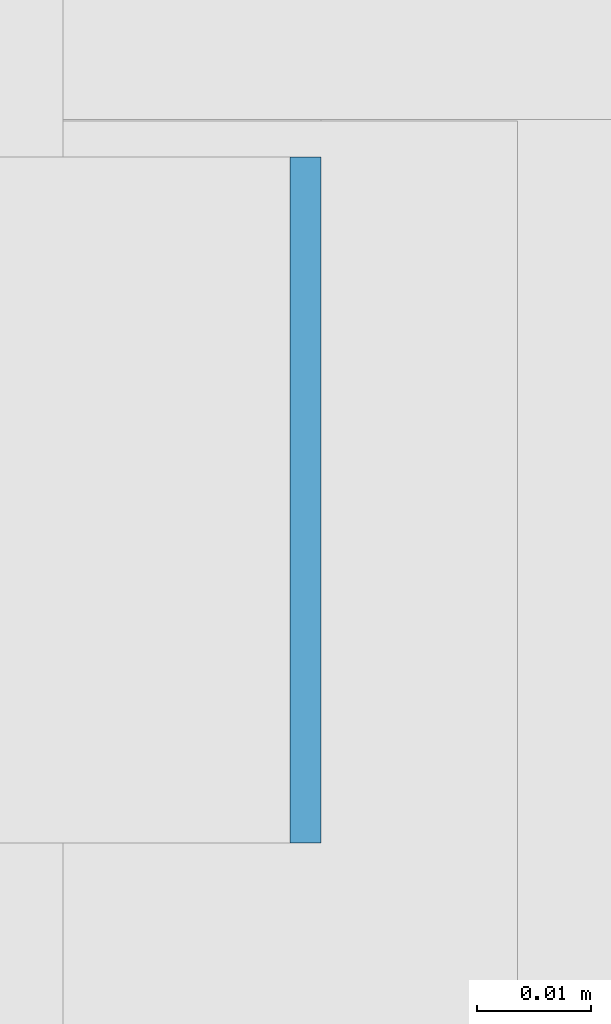
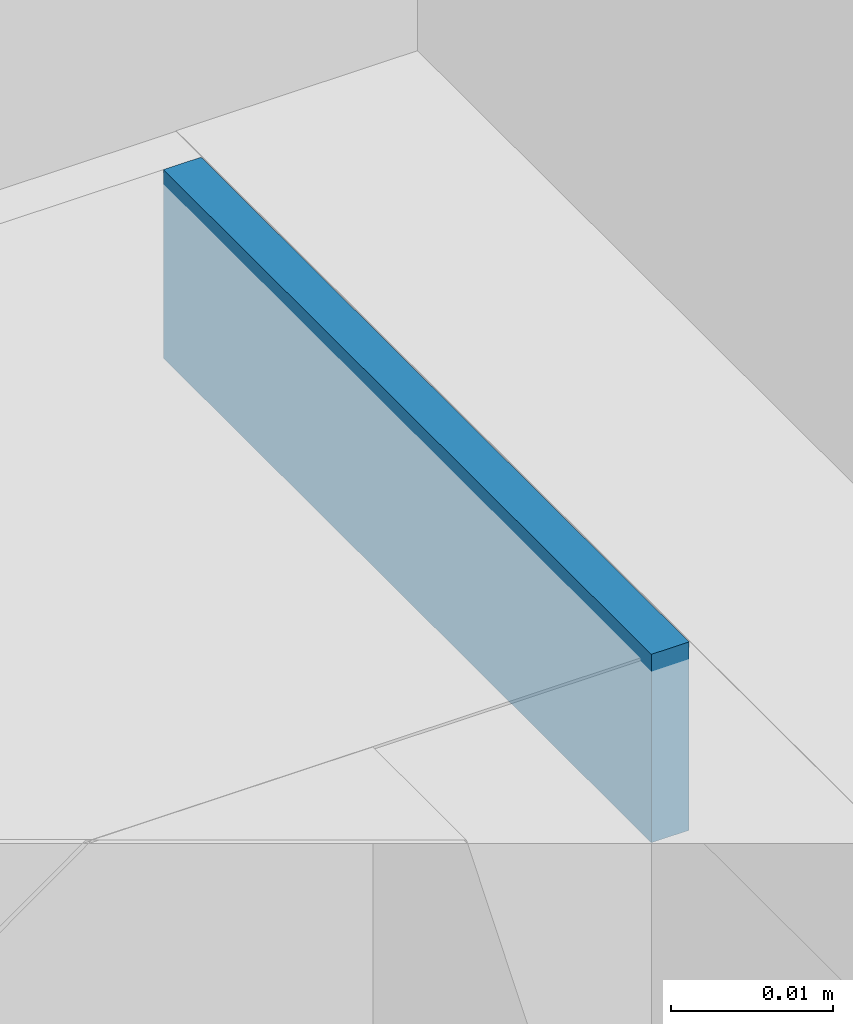
# One storey, part 417 of 646: 1 discrete accessory.
"""IFC4 building model written with IfcOpenShell, lengths in metres."""

from ifc_helpers import new_model, si_unit, direction, frame, origin, origin_2d, place, context, subcontext, project, spatial, rectangle, extrude, material, type_object, element, save


model = new_model("IFC4")

# Units and contexts
model_context = context("Model", 3, precision=1e-05, world=origin(), true_north=direction((0.0, 1.0)))
body_context = subcontext(model_context, "Body", "Model", "MODEL_VIEW")
ifc_project = project(units=[si_unit("LENGTHUNIT", "METRE"), si_unit("AREAUNIT", "SQUARE_METRE"), si_unit("VOLUMEUNIT", "CUBIC_METRE"), si_unit("PLANEANGLEUNIT", "RADIAN"), si_unit("MASSUNIT", "GRAM", prefix="KILO")], contexts=[model_context])

# Site, building, storey
site_placement = place(None, origin())
site = spatial("IfcSite", under=ifc_project, at=site_placement, CompositionType="ELEMENT")
building_placement = place(site_placement, origin())
building = spatial("IfcBuilding", under=site, at=building_placement, Name="Silverbay Arena", CompositionType="ELEMENT")
storey_placement = place(building_placement, frame((0.0, 0.0, 33.5)))
storey = spatial("IfcBuildingStorey", under=building, at=storey_placement, Name="L05", CompositionType="ELEMENT", Elevation=33.5)

# Discrete accessory
ifc_material = material(Name="Steel S355", Category="steel")
discrete_accessory_type = type_object("IfcDiscreteAccessoryType", Name="Steel bracket plate", PredefinedType="BRACKET", material=ifc_material)
discrete_accessory_placement = place(storey_placement, frame((53.871337890625, 128.86669921875, 12.98583984375), z_axis=(0.0, 0.0, 1.0), x_axis=(1.0, 0.0, 0.0)))
element("IfcDiscreteAccessory", 1, at=discrete_accessory_placement, inside=storey, type_object=discrete_accessory_type, Name="Curtain wall packing plate", PredefinedType="BRACKET", context=body_context, shape_type="SweptSolid", body=[
    extrude(rectangle(XDim=0.002685546875, YDim=0.06005859375, at=origin_2d()), origin(), (0.0, 0.0, 1.0), 0.01416015625),
])

save(model, "model.ifc")
